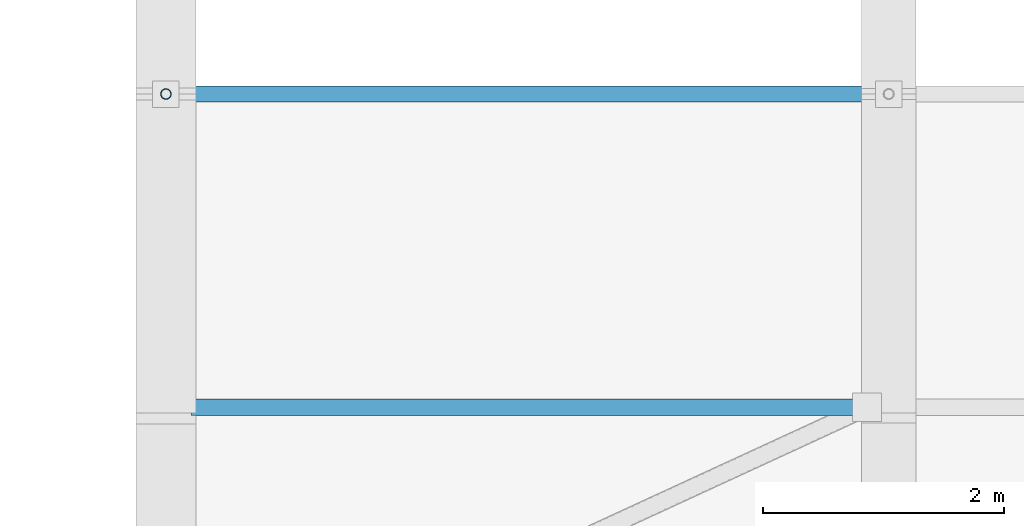
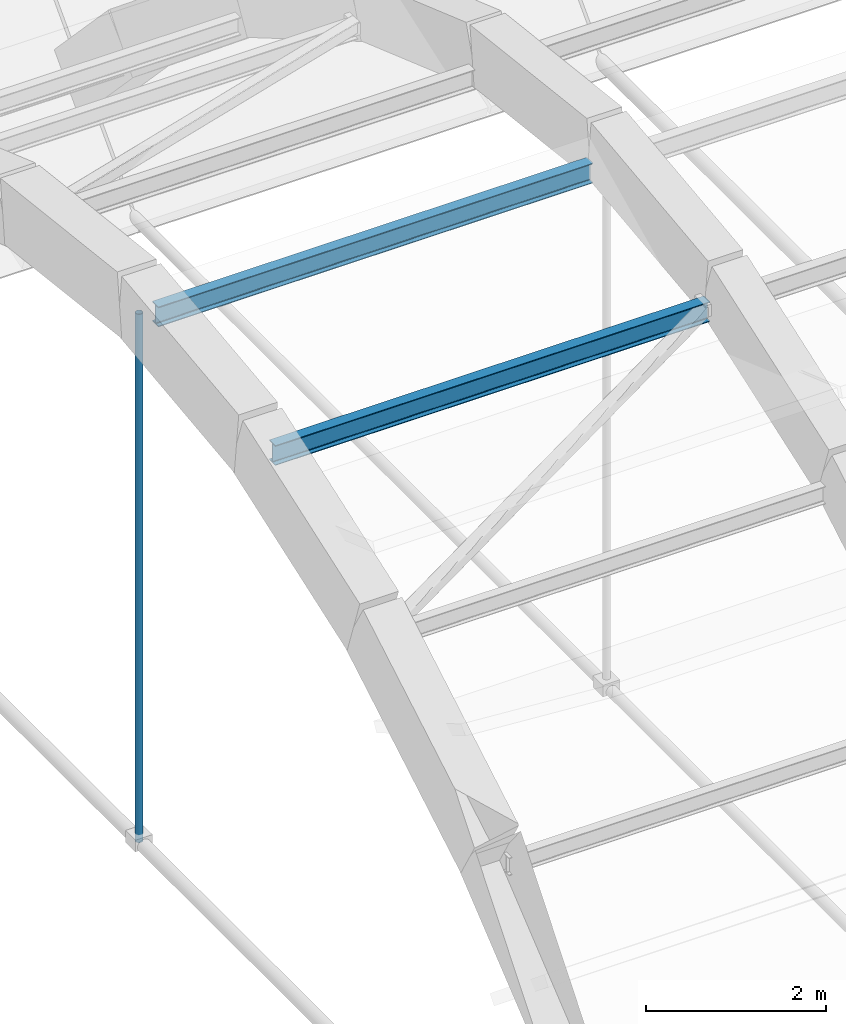
# One storey, part 22 of 123: 2 beams, 1 member.
"""IFC4 building model written with IfcOpenShell, lengths in metres."""

import ifcopenshell
import ifcopenshell.guid

model = None  # the IFC model being written
_history = None  # IfcOwnerHistory: only IFC2X3 demands one
_inside = {}  # id of a spatial element -> (the spatial element, [elements in it])
_under = {}  # id of a project, library or spatial element -> (it, [spatial elements below it])
_declared = {}  # id of a project -> (the project, [libraries it declares])
_typed = {}  # id of a type object -> (the type object, [elements of that type])
_made_of = {}  # id of a material, layer set ... -> (it, [elements and type objects made of it])


def new_model(schema):
    """Start an empty IFC model of exactly this schema.

    Asked for "IFC4X3", IfcOpenShell would pick the latest addendum, in which some entities
    have other attributes; the version numbers below select the first issue.
    IFC2X3 requires an IfcOwnerHistory on every rooted entity: one is made here for all.
    """
    global model, _history
    if schema == "IFC4X3":
        model = ifcopenshell.file(schema_version=(4, 3, 0, 0))
    else:
        model = ifcopenshell.file(schema=schema)
    _inside.clear()
    _under.clear()
    _declared.clear()
    _typed.clear()
    _made_of.clear()
    _history = None
    if model.schema == "IFC2X3":
        org = make("IfcOrganization", Name="unknown")
        user = make(
            "IfcPersonAndOrganization",
            ThePerson=make("IfcPerson", FamilyName="unknown"),
            TheOrganization=org,
        )
        app = make(
            "IfcApplication",
            ApplicationDeveloper=org,
            Version="unknown",
            ApplicationFullName="unknown",
            ApplicationIdentifier="unknown",
        )
        _history = make(
            "IfcOwnerHistory",
            OwningUser=user,
            OwningApplication=app,
            ChangeAction="ADDED",
            CreationDate=0,
        )
    return model


def make(cls, **values):
    """One entity of the class cls with the attributes given. An attribute that is None is left unset."""
    return model.create_entity(
        cls, **{name: value for name, value in values.items() if value is not None}
    )


def rooted(cls, **values):
    """An entity with a GlobalId (a new one), such as an element, a storey or a relation."""
    return make(cls, GlobalId=ifcopenshell.guid.new(), OwnerHistory=_history, **values)


def si_unit(unit_type, name, prefix=None):
    """IfcSIUnit, for example si_unit("LENGTHUNIT", "METRE", prefix="MILLI")."""
    return make("IfcSIUnit", UnitType=unit_type, Prefix=prefix, Name=name)


def assignment(units):
    """IfcUnitAssignment: the units of a project."""
    return None if units is None else make("IfcUnitAssignment", Units=units)


def point(xyz):
    """IfcCartesianPoint."""
    return None if xyz is None else make("IfcCartesianPoint", Coordinates=xyz)


def direction(xyz):
    """IfcDirection."""
    return None if xyz is None else make("IfcDirection", DirectionRatios=xyz)


def frame(location, z_axis=None, x_axis=None):
    """IfcAxis2Placement3D, a coordinate frame: its origin and axes. An axis left out is left unset."""
    return make(
        "IfcAxis2Placement3D",
        Location=point(location),
        Axis=direction(z_axis),
        RefDirection=direction(x_axis),
    )


def frame_2d(location, x_axis=None):
    """IfcAxis2Placement2D, a coordinate frame in the plane: its origin and x axis."""
    return make(
        "IfcAxis2Placement2D", Location=point(location), RefDirection=direction(x_axis)
    )


def origin():
    """The frame at (0, 0, 0) with its axes left unset."""
    return frame((0.0, 0.0, 0.0))


def origin_2d():
    """The frame at (0, 0) in the plane with its x axis left unset."""
    return frame_2d((0.0, 0.0))


def place(relative_to, where):
    """IfcLocalPlacement: puts the frame where relative to a parent placement (None: the world)."""
    return make(
        "IfcLocalPlacement", PlacementRelTo=relative_to, RelativePlacement=where
    )


def context(
    kind, dimensions, precision=None, world=None, true_north=None, identifier=None
):
    """IfcGeometricRepresentationContext, for example the 3D "Model" context."""
    return make(
        "IfcGeometricRepresentationContext",
        ContextIdentifier=identifier,
        ContextType=kind,
        CoordinateSpaceDimension=dimensions,
        Precision=precision,
        WorldCoordinateSystem=world,
        TrueNorth=true_north,
    )


def subcontext(parent, identifier, kind, view, scale=None):
    """IfcGeometricRepresentationSubContext, for example "Body" below "Model"."""
    return make(
        "IfcGeometricRepresentationSubContext",
        ContextIdentifier=identifier,
        ContextType=kind,
        ParentContext=parent,
        TargetScale=scale,
        TargetView=view,
    )


def project(units=None, contexts=None):
    """IfcProject with its units and contexts."""
    return rooted(
        "IfcProject",
        Name="project",
        RepresentationContexts=contexts,
        UnitsInContext=assignment(units),
    )


def spatial(cls, under=None, at=None, **own):
    """A site, building, storey or space (cls), placed at a placement, below another one or the project."""
    s = rooted(cls, ObjectPlacement=at, **own)
    if under is not None:
        _under.setdefault(under.id(), (under, []))[1].append(s)
    return s


def profile(cls, at=None, kind="AREA", **sizes):
    """A parametric profile (cls). Its sizes go by their IFC names, for example OverallWidth=200.0."""
    return make(cls, ProfileType=kind, Position=at, **sizes)


def hollow_circle(**sizes):
    """IfcCircleHollowProfileDef."""
    return profile("IfcCircleHollowProfileDef", **sizes)


def i_section(**sizes):
    """IfcIShapeProfileDef."""
    return profile("IfcIShapeProfileDef", **sizes)


def extrude(swept, where, along, depth):
    """IfcExtrudedAreaSolid: the profile swept, set in the frame where, extruded along a direction by depth."""
    return make(
        "IfcExtrudedAreaSolid",
        SweptArea=swept,
        Position=where,
        ExtrudedDirection=direction(along),
        Depth=depth,
    )


def shape(context_of_items, identifier, shape_type, items):
    """IfcShapeRepresentation: the items that make up one representation, for example the "Body"."""
    return make(
        "IfcShapeRepresentation",
        ContextOfItems=context_of_items,
        RepresentationIdentifier=identifier,
        RepresentationType=shape_type,
        Items=items,
    )


def material(Name=None, Category=None):
    """IfcMaterial."""
    return make("IfcMaterial", Name=Name, Category=Category)


def material_profile(
    of_material, cross_section, Name=None, Category=None, Priority=None
):
    """IfcMaterialProfile: a cross section and its material."""
    return make(
        "IfcMaterialProfile",
        Name=Name,
        Material=of_material,
        Profile=cross_section,
        Priority=Priority,
        Category=Category,
    )


def profile_set(profiles, Name=None, composite=None):
    """IfcMaterialProfileSet."""
    return make(
        "IfcMaterialProfileSet",
        Name=Name,
        MaterialProfiles=profiles,
        CompositeProfile=composite,
    )


def made_of(thing, what):
    """Note that an element or type object is made of a material, layer set ...; save() writes the relation."""
    if what is not None:
        _made_of.setdefault(what.id(), (what, []))[1].append(thing)
    return thing


def type_object(cls, material=None, **own):
    """A type object (cls), such as IfcWallType, which elements share."""
    return made_of(rooted(cls, **own), material)


def element(
    cls,
    number,
    at=None,
    inside=None,
    cuts=None,
    type_object=None,
    material=None,
    context=None,
    identifier="Body",
    shape_type=None,
    held_by="IfcProductDefinitionShape",
    body=None,
    shapes=None,
    **own,
):
    """One element of the class cls, such as IfcWall. Its Tag is "e" and its number.

    at: its placement. inside: the storey or other place that contains it. cuts: it is an
    opening in that element (IfcRelVoidsElement). A single representation is given by context,
    identifier, shape_type and body (its items); several are given by shapes. held_by: the class
    of the entity that holds the representations. save() writes the other relations.
    """
    e = rooted(cls, Tag="e%d" % number, ObjectPlacement=at, **own)
    if body is not None:
        shapes = [shape(context, identifier, shape_type, body)]
    if shapes is not None:
        e.Representation = make(held_by, Representations=shapes)
    if inside is not None:
        _inside.setdefault(inside.id(), (inside, []))[1].append(e)
    if cuts is not None:
        rooted(
            "IfcRelVoidsElement", RelatingBuildingElement=cuts, RelatedOpeningElement=e
        )
    if type_object is not None:
        _typed.setdefault(type_object.id(), (type_object, []))[1].append(e)
    return made_of(e, material)


def aggregate(whole, parts):
    """IfcRelAggregates: a whole, such as a stair, and the parts it consists of."""
    return rooted("IfcRelAggregates", RelatingObject=whole, RelatedObjects=parts)


def save(model, path):
    """Write the relations noted so far, then the file.

    IfcRelAggregates (storeys below a building ...), IfcRelContainedInSpatialStructure (elements
    in a storey), IfcRelDefinesByType, IfcRelAssociatesMaterial and IfcRelDeclares: one each for
    every whole, place, type object, material and project.
    """
    for whole, parts in _under.values():
        aggregate(whole, parts)
    for where, things in _inside.values():
        rooted(
            "IfcRelContainedInSpatialStructure",
            RelatedElements=things,
            RelatingStructure=where,
        )
    for kind, things in _typed.values():
        rooted("IfcRelDefinesByType", RelatedObjects=things, RelatingType=kind)
    for what, things in _made_of.values():
        rooted("IfcRelAssociatesMaterial", RelatedObjects=things, RelatingMaterial=what)
    for by, libraries in _declared.values():
        rooted("IfcRelDeclares", RelatingContext=by, RelatedDefinitions=libraries)
    model.write(path)


model = new_model("IFC4")

# Units and contexts
model_context = context("Model", 3, precision=1e-05, world=origin(), true_north=direction((0.0, 1.0)))
body_context = subcontext(model_context, "Body", "Model", "MODEL_VIEW")
ifc_project = project(units=[si_unit("LENGTHUNIT", "METRE"), si_unit("AREAUNIT", "SQUARE_METRE"), si_unit("VOLUMEUNIT", "CUBIC_METRE"), si_unit("PLANEANGLEUNIT", "RADIAN"), si_unit("MASSUNIT", "GRAM", prefix="KILO"), si_unit("POWERUNIT", "WATT"), si_unit("THERMODYNAMICTEMPERATUREUNIT", "KELVIN")], contexts=[model_context])

# Site, building, storey
site_placement = place(None, origin())
site = spatial("IfcSite", under=ifc_project, at=site_placement, CompositionType="ELEMENT")
building_placement = place(site_placement, origin())
building = spatial("IfcBuilding", under=site, at=building_placement, Name="Ruvembo Vaulted Housing Court", CompositionType="ELEMENT")
storey_placement = place(building_placement, frame((0.0, 0.0, 7.699951171875)))
storey = spatial("IfcBuildingStorey", under=building, at=storey_placement, Name="L02", CompositionType="ELEMENT", Elevation=7.699951171875)

# Beams
ifc_material = material(Name="Steel S355J2", Category="steel")
ifc_material_profile_1 = material_profile(ifc_material, i_section(OverallWidth=0.135009765625, OverallDepth=0.27001953125, WebThickness=0.006591796875, FlangeThickness=0.01025390625, FilletRadius=0.014892578125, at=origin_2d()), Name="IPE 270")
ifc_profile_set_1 = profile_set([ifc_material_profile_1], Name="Steel S355J2")
beam_type = type_object("IfcBeamType", Name="BM-ST-IPE270", PredefinedType="BEAM", material=ifc_profile_set_1)
for number, where, z_axis, x_axis, name in (
    (1, (66.2099609375, 52.39990234375, 5.51611328125), (1.0, 0.0, 0.0), (0.0, 1.0, 0.0), "Vault Bay 1 Steel Purlin K4"),
    (2, (66.2099609375, 55.0, 5.820068359375), (1.0, 0.0, 0.0), (0.0, 1.0, 0.0), "Vault Bay 1 Steel Purlin K5"),
):
    element("IfcBeam", number, at=place(storey_placement, frame(where, z_axis=z_axis, x_axis=x_axis)), inside=storey, type_object=beam_type, Name=name, PredefinedType="BEAM", context=body_context, shape_type="SweptSolid", body=[
        extrude(i_section(OverallWidth=0.135009765625, OverallDepth=0.27001953125, WebThickness=0.006591796875, FlangeThickness=0.01025390625, FilletRadius=0.014892578125, at=origin_2d()), origin(), (0.0, 0.0, 1.0), 5.580078125),
    ])

# Member
ifc_material_profile_2 = material_profile(ifc_material, hollow_circle(Radius=0.04443359375, WallThickness=0.0048828125, at=origin_2d()), Name="CHS 88.9x5")
ifc_profile_set_2 = profile_set([ifc_material_profile_2], Name="Steel S355J2")
member_type = type_object("IfcMemberType", Name="MEM-HGR-CHS89", PredefinedType="STRUT", material=ifc_profile_set_2)
member_placement = place(storey_placement, frame((66.0, 55.0, -1.25), z_axis=(0.0, 0.0, 1.0), x_axis=(1.0, 0.0, 0.0)))
element("IfcMember", 3, at=member_placement, inside=storey, type_object=member_type, Name="Vault Crown Hanger Rod VH-01", PredefinedType="STRUT", context=body_context, shape_type="SweptSolid", body=[
    extrude(hollow_circle(Radius=0.04443359375, WallThickness=0.0048828125, at=origin_2d()), origin(), (0.0, 0.0, 1.0), 7.170166015625),
])

save(model, "model.ifc")
